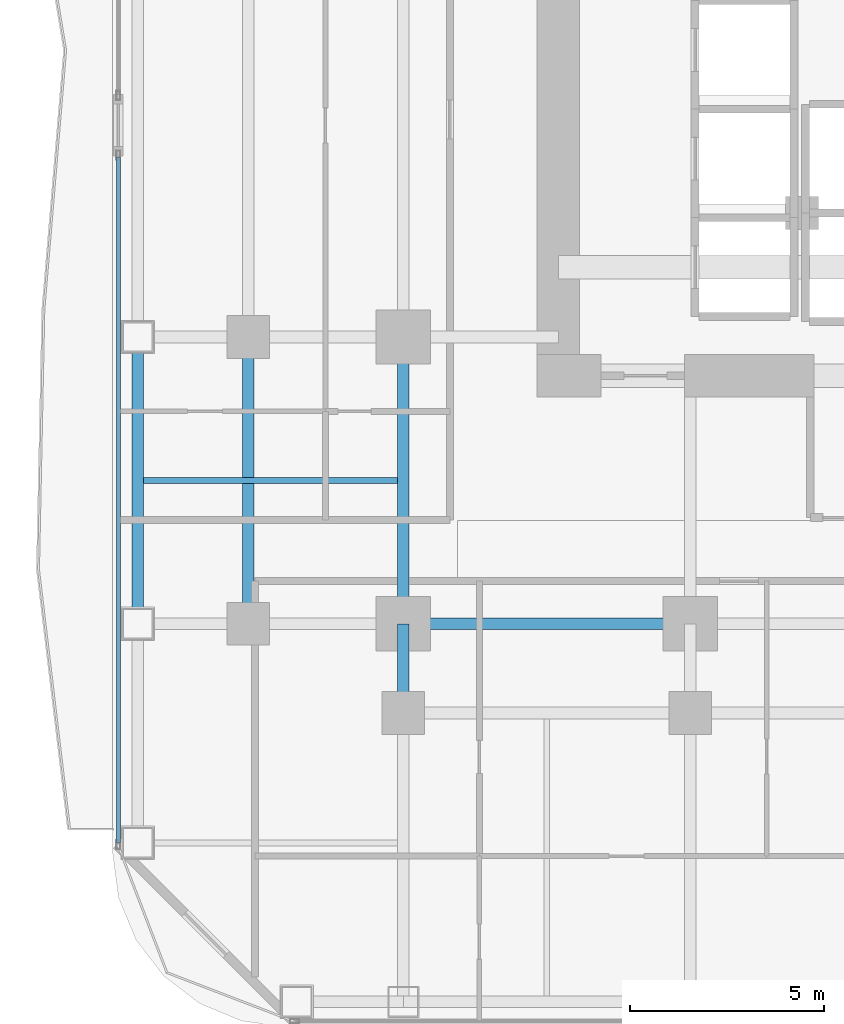
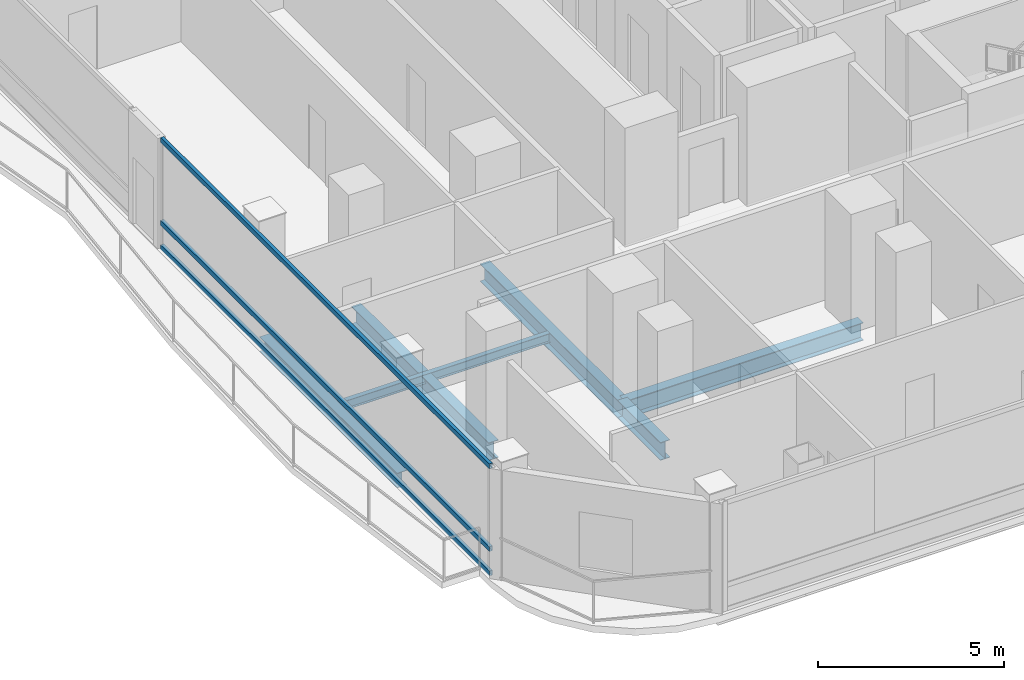
# One storey, part 3 of 27: 6 beams, 3 members, 1 element without a shape of its own.
"""IFC4 building model written with IfcOpenShell, lengths in metres."""

from ifc_helpers import new_model, si_unit, direction, frame, origin, origin_2d, place, context, subcontext, project, spatial, hollow_rectangle, i_section, extrude, material, layer, layer_set, material_profile, profile_set, type_object, element, aggregate, save


model = new_model("IFC4")

# Units and contexts
model_context = context("Model", 3, precision=1e-05, world=origin(), true_north=direction((0.0, 1.0)))
body_context = subcontext(model_context, "Body", "Model", "MODEL_VIEW")
ifc_project = project(units=[si_unit("LENGTHUNIT", "METRE"), si_unit("AREAUNIT", "SQUARE_METRE"), si_unit("VOLUMEUNIT", "CUBIC_METRE"), si_unit("PLANEANGLEUNIT", "RADIAN"), si_unit("MASSUNIT", "GRAM", prefix="KILO")], contexts=[model_context])

# Site, building, storey
site_placement = place(None, origin())
site = spatial("IfcSite", under=ifc_project, at=site_placement, CompositionType="ELEMENT")
building_placement = place(site_placement, origin())
building = spatial("IfcBuilding", under=site, at=building_placement, Name="Khorvyn Point Tower", CompositionType="ELEMENT")
storey_placement = place(building_placement, frame((0.0, 0.0, 50.10009765625)))
storey = spatial("IfcBuildingStorey", under=building, at=storey_placement, Name="L13", CompositionType="ELEMENT", Elevation=50.10009765625)

# Curtain wall, members
ifc_material_1 = material(Name="Anodised aluminium 6063-T6 and laminated Low-E glass", Category="aluminium")
ifc_layer = layer(ifc_material_1, 0.18994140625)
ifc_layer_set = layer_set([ifc_layer], Name="Stick-Built Finned Residential Curtain Wall CW-SYS-02")
curtain_wall_type = type_object("IfcCurtainWallType", Name="Stick-Built Finned Residential Curtain Wall CW-SYS-02", PredefinedType="NOTDEFINED", material=ifc_layer_set)
curtain_wall_placement = place(storey_placement, origin())
curtain_wall = element("IfcCurtainWall", 1, at=curtain_wall_placement, inside=storey, type_object=curtain_wall_type, Name="Curtain Wall", PredefinedType="NOTDEFINED")
ifc_material_2 = material(Name="Anodised aluminium 6063-T6", Category="aluminium")
ifc_material_profile_1 = material_profile(ifc_material_2, hollow_rectangle(XDim=0.10009765625, YDim=0.159912109375, WallThickness=0.00439453125, at=origin_2d()))
ifc_profile_set_1 = profile_set([ifc_material_profile_1], Name="Anodised aluminium 6063-T6 ALU-TRN-100x160")
member_type = type_object("IfcMemberType", Name="Anodised Aluminium 6063-T6 Transom ALU-TRN-100x160", PredefinedType="USERDEFINED", material=ifc_profile_set_1)
member_1_placement = place(storey_placement, frame((-22.14990234375, -20.449951171875, 0.0498046875), z_axis=(0.0, 1.0, 0.0), x_axis=(-1.0, 0.0, 0.0)))
member_1 = element("IfcMember", 2, at=member_1_placement, type_object=member_type, Name="Transom", ObjectType="TRANSOM", PredefinedType="USERDEFINED", context=body_context, shape_type="SweptSolid", body=[
    extrude(hollow_rectangle(XDim=0.10009765625, YDim=0.159912109375, WallThickness=0.00439453125, at=origin_2d()), origin(), (0.0, 0.0, 1.0), 17.68798828125),
])
member_2_placement = place(storey_placement, frame((-22.14990234375, -20.449951171875, 0.849853515625), z_axis=(0.0, 1.0, 0.0), x_axis=(-1.0, 0.0, 0.0)))
member_2 = element("IfcMember", 3, at=member_2_placement, type_object=member_type, Name="Transom", ObjectType="TRANSOM", PredefinedType="USERDEFINED", context=body_context, shape_type="SweptSolid", body=[
    extrude(hollow_rectangle(XDim=0.10009765625, YDim=0.159912109375, WallThickness=0.00439453125, at=origin_2d()), origin(), (0.0, 0.0, 1.0), 17.68798828125),
])
member_3_placement = place(storey_placement, frame((-22.14990234375, -20.449951171875, 3.56982421875), z_axis=(0.0, 1.0, 0.0), x_axis=(-1.0, 0.0, 0.0)))
member_3 = element("IfcMember", 4, at=member_3_placement, type_object=member_type, Name="Transom", ObjectType="TRANSOM", PredefinedType="USERDEFINED", context=body_context, shape_type="SweptSolid", body=[
    extrude(hollow_rectangle(XDim=0.10009765625, YDim=0.159912109375, WallThickness=0.00439453125, at=origin_2d()), origin(), (0.0, 0.0, 1.0), 17.68798828125),
])
aggregate(curtain_wall, [member_1, member_2, member_3])

# Beams
ifc_material_3 = material(Name="Steel S355", Category="steel")
ifc_material_profile_2 = material_profile(ifc_material_3, i_section(OverallWidth=0.300048828125, OverallDepth=0.587890625, WebThickness=0.011962890625, FlangeThickness=0.02001953125, at=origin_2d()))
ifc_profile_set_2 = profile_set([ifc_material_profile_2], Name="Steel S355 H588x300x12x20")
beam_type_1 = type_object("IfcBeamType", Name="Steel S355 Beam H588x300x12x20", PredefinedType="BEAM", material=ifc_profile_set_2)
beam_1_placement = place(storey_placement, frame((-14.800048828125, -14.800048828125, -0.51416015625), z_axis=(1.0, 0.0, 0.0), x_axis=(0.0, 1.0, 0.0)))
element("IfcBeam", 5, at=beam_1_placement, inside=storey, type_object=beam_type_1, Name="Beam", PredefinedType="BEAM", context=body_context, shape_type="SweptSolid", body=[
    extrude(i_section(OverallWidth=0.300048828125, OverallDepth=0.587890625, WebThickness=0.011962890625, FlangeThickness=0.02001953125, at=origin_2d()), origin(), (0.0, 0.0, 1.0), 7.400146484375),
])
beam_2_placement = place(storey_placement, frame((-14.800048828125, -17.10009765625, -0.51416015625), z_axis=(0.0, 1.0, 0.0), x_axis=(-1.0, 0.0, 0.0)))
element("IfcBeam", 6, at=beam_2_placement, inside=storey, type_object=beam_type_1, Name="Beam", PredefinedType="BEAM", context=body_context, shape_type="SweptSolid", body=[
    extrude(i_section(OverallWidth=0.300048828125, OverallDepth=0.587890625, WebThickness=0.011962890625, FlangeThickness=0.02001953125, at=origin_2d()), origin(), (0.0, 0.0, 1.0), 2.300048828125),
])
for number, where, z_axis, x_axis, name in (
    (7, (-14.800048828125, -14.800048828125, -0.51416015625), (0.0, 1.0, 0.0), (-1.0, 0.0, 0.0), "Beam"),
    (8, (-18.800048828125, -14.800048828125, -0.51416015625), (0.0, 1.0, 0.0), (-1.0, 0.0, 0.0), "Beam"),
):
    element("IfcBeam", number, at=place(storey_placement, frame(where, z_axis=z_axis, x_axis=x_axis)), inside=storey, type_object=beam_type_1, Name=name, PredefinedType="BEAM", context=body_context, shape_type="SweptSolid", body=[
        extrude(i_section(OverallWidth=0.300048828125, OverallDepth=0.587890625, WebThickness=0.011962890625, FlangeThickness=0.02001953125, at=origin_2d()), origin(), (0.0, 0.0, 1.0), 7.400146484375),
    ])
ifc_material_profile_3 = material_profile(ifc_material_3, i_section(OverallWidth=0.14990234375, OverallDepth=0.300048828125, WebThickness=0.006591796875, FlangeThickness=0.009033203125, at=origin_2d()))
ifc_profile_set_3 = profile_set([ifc_material_profile_3], Name="Steel S355 H300x150x6.5x9")
beam_type_2 = type_object("IfcBeamType", Name="Steel S355 Joist H300x150x6.5x9", PredefinedType="JOIST", material=ifc_profile_set_3)
beam_3_placement = place(storey_placement, frame((-21.5, -11.10009765625, -0.3701171875), z_axis=(1.0, 0.0, 0.0), x_axis=(0.0, 1.0, 0.0)))
element("IfcBeam", 9, at=beam_3_placement, inside=storey, type_object=beam_type_2, Name="Beam", PredefinedType="JOIST", context=body_context, shape_type="SweptSolid", body=[
    extrude(i_section(OverallWidth=0.14990234375, OverallDepth=0.300048828125, WebThickness=0.006591796875, FlangeThickness=0.009033203125, at=origin_2d()), origin(), (0.0, 0.0, 1.0), 6.550048828125),
])
ifc_material_profile_4 = material_profile(ifc_material_3, i_section(OverallWidth=0.300048828125, OverallDepth=0.488037109375, WebThickness=0.010986328125, FlangeThickness=0.01806640625, at=origin_2d()))
ifc_profile_set_4 = profile_set([ifc_material_profile_4], Name="Steel S355 H488x300x11x18")
beam_type_3 = type_object("IfcBeamType", Name="Steel S355 Spandrel H488x300x11x18", PredefinedType="SPANDREL", material=ifc_profile_set_4)
beam_4_placement = place(storey_placement, frame((-21.64990234375, -14.800048828125, -0.464111328125), z_axis=(0.0, 1.0, 0.0), x_axis=(-1.0, 0.0, 0.0)))
element("IfcBeam", 10, at=beam_4_placement, inside=storey, type_object=beam_type_3, Name="Beam", PredefinedType="SPANDREL", context=body_context, shape_type="SweptSolid", body=[
    extrude(i_section(OverallWidth=0.300048828125, OverallDepth=0.488037109375, WebThickness=0.010986328125, FlangeThickness=0.01806640625, at=origin_2d()), origin(), (0.0, 0.0, 1.0), 7.400146484375),
])

save(model, "model.ifc")
